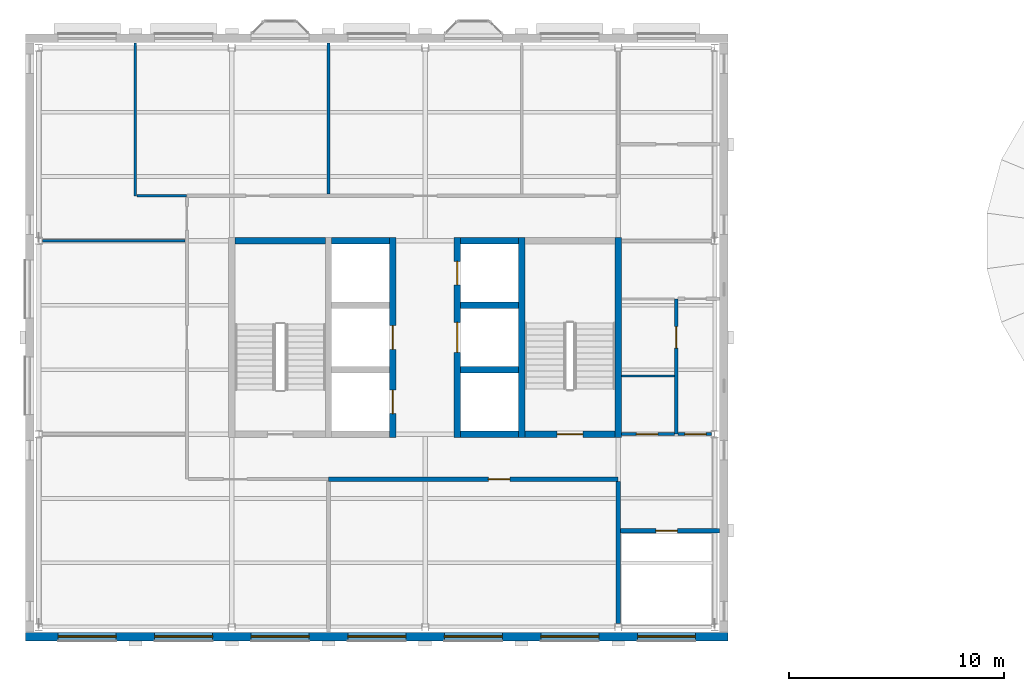
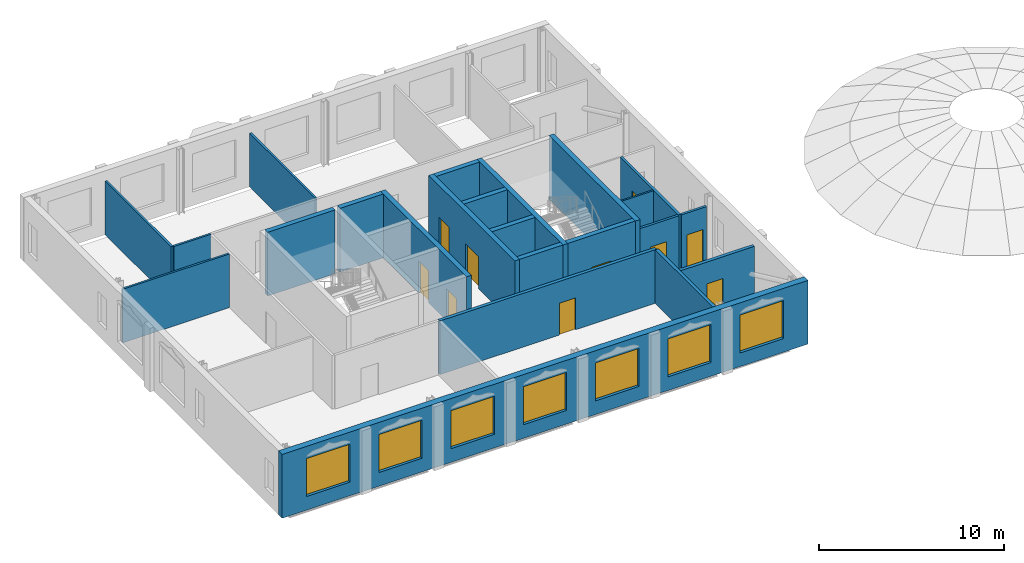
# One storey, part 6 of 11: 23 walls, 10 doors, 7 windows, 17 openings.
"""IFC4 building model written with IfcOpenShell, lengths in metres."""

from ifc_helpers import new_model, si_unit, direction, frame, frame_2d, origin, place, context, subcontext, project, spatial, rectangle, extrude, material, layer, layer_set, type_object, element, fill, save


model = new_model("IFC4")

# Units and contexts
model_context = context("Model", 3, precision=1e-05, world=origin(), true_north=direction((0.0, 1.0)))
body_context = subcontext(model_context, "Body", "Model", "MODEL_VIEW")
ifc_project = project(units=[si_unit("LENGTHUNIT", "METRE"), si_unit("AREAUNIT", "SQUARE_METRE"), si_unit("VOLUMEUNIT", "CUBIC_METRE"), si_unit("PLANEANGLEUNIT", "RADIAN"), si_unit("MASSUNIT", "GRAM", prefix="KILO")], contexts=[model_context])

# Site, building, storey
site_placement = place(None, origin())
site = spatial("IfcSite", under=ifc_project, at=site_placement, CompositionType="ELEMENT")
building_placement = place(site_placement, origin())
building = spatial("IfcBuilding", under=site, at=building_placement, Name="Hortulan Conservatory and Botanical Research Centre", CompositionType="ELEMENT")
storey_placement = place(building_placement, frame((0.0, 0.0, 27.60009765625)))
storey = spatial("IfcBuildingStorey", under=building, at=storey_placement, Name="L06", CompositionType="ELEMENT", Elevation=27.60009765625)

# Wall
ifc_material_1 = material(Name="Fire-rated plasterboard on steel studs", Category="steel")
ifc_layer_1 = layer(ifc_material_1, 0.199951171875)
ifc_layer_set_1 = layer_set([ifc_layer_1], Name="Compartment Partition 200")
wall_type_1 = type_object("IfcWallType", Name="Compartment Partition 200", PredefinedType="PARTITIONING", material=ifc_layer_set_1)
wall_1_placement = place(storey_placement, frame((27.0, 0.173583984375, 0.0), z_axis=(0.0, 0.0, 1.0), x_axis=(0.0, 1.0, 0.0)))
element("IfcWall", 1, at=wall_1_placement, inside=storey, type_object=wall_type_1, Name="Store wall", PredefinedType="PARTITIONING", context=body_context, shape_type="SweptSolid", body=[
    extrude(rectangle(XDim=6.616455078125, YDim=0.199951171875, at=frame_2d((3.30810546875, 0.0))), origin(), (0.0, 0.0, 1.0), 3.536865234375),
])

# Wall, opening, door
wall_2_placement = place(storey_placement, frame((27.110107421875, 4.5, 0.0), z_axis=(0.0, 0.0, 1.0), x_axis=(1.0, 0.0, 0.0)))
wall_2 = element("IfcWall", 2, at=wall_2_placement, inside=storey, type_object=wall_type_1, Name="Riser wall", PredefinedType="PARTITIONING", context=body_context, shape_type="SweptSolid", body=[
    extrude(rectangle(XDim=4.60498046875, YDim=0.199951171875, at=frame_2d((2.302490234375, 0.0))), origin(), (0.0, 0.0, 1.0), 3.536865234375),
])
opening_1_placement = place(wall_2_placement, frame((1.639892578125, 0.0, 0.0)))
opening_1 = element("IfcOpeningElement", 3, at=opening_1_placement, cuts=wall_2, Name="Opening DT6", PredefinedType="OPENING", context=body_context, shape_type="SweptSolid", body=[
    extrude(rectangle(XDim=1.0, YDim=2.10009765625, at=frame_2d((0.5, 1.050048828125))), frame((0.0, 0.10986328125, 0.0), z_axis=(0.0, -1.0, 0.0), x_axis=(1.0, 0.0, 0.0)), (0.0, 0.0, 1.0), 0.219970703125),
])
ifc_material_2 = material(Name="Steel door leaf, insulated", Category="steel")
door_type_1 = type_object("IfcDoorType", Name="Fire Door 1000x2100 FRL -/120/30", OperationType="NOTDEFINED", PredefinedType="DOOR", material=ifc_material_2)
door_1_placement = place(opening_1_placement, frame((1.0, 0.0, 0.0), z_axis=(0.0, 0.0, 1.0), x_axis=(-1.0, 0.0, 0.0)))
door_1 = element("IfcDoor", 4, at=door_1_placement, inside=storey, type_object=door_type_1, Name="Door DT6 Services Riser", OperationType="SINGLE_SWING_LEFT", OverallHeight=2.10009765625, OverallWidth=1.0, PredefinedType="DOOR", context=body_context, shape_type="SweptSolid", body=[
    extrude(rectangle(XDim=1.0, YDim=2.10009765625, at=frame_2d((0.5, 1.050048828125))), frame((0.0, 0.02490234375, 0.0), z_axis=(0.0, -1.0, 0.0), x_axis=(1.0, 0.0, 0.0)), (0.0, 0.0, 1.0), 0.050048828125),
])
fill(opening_1, door_1)

wall_3_placement = place(storey_placement, frame((13.5, 6.89990234375, 0.0), z_axis=(0.0, 0.0, 1.0), x_axis=(1.0, 0.0, 0.0)))
wall_3 = element("IfcWall", 5, at=wall_3_placement, inside=storey, type_object=wall_type_1, Name="Store wall", PredefinedType="PARTITIONING", context=body_context, shape_type="SweptSolid", body=[
    extrude(rectangle(XDim=13.5, YDim=0.199951171875, at=frame_2d((6.75, 0.0))), origin(), (0.0, 0.0, 1.0), 3.536865234375),
])
opening_2_placement = place(wall_3_placement, frame((7.449951171875, 0.0, 0.0)))
opening_2 = element("IfcOpeningElement", 6, at=opening_2_placement, cuts=wall_3, Name="Opening DT6", PredefinedType="OPENING", context=body_context, shape_type="SweptSolid", body=[
    extrude(rectangle(XDim=1.0, YDim=2.10009765625, at=frame_2d((0.5, 1.050048828125))), frame((0.0, 0.10986328125, 0.0), z_axis=(0.0, -1.0, 0.0), x_axis=(1.0, 0.0, 0.0)), (0.0, 0.0, 1.0), 0.219970703125),
])
door_2_placement = place(opening_2_placement, frame((1.0, 0.0, 0.0), z_axis=(0.0, 0.0, 1.0), x_axis=(-1.0, 0.0, 0.0)))
door_2 = element("IfcDoor", 7, at=door_2_placement, inside=storey, type_object=door_type_1, Name="Door DT6 Cryopreservation Laboratory", OperationType="SINGLE_SWING_LEFT", OverallHeight=2.10009765625, OverallWidth=1.0, PredefinedType="DOOR", context=body_context, shape_type="SweptSolid", body=[
    extrude(rectangle(XDim=1.0, YDim=2.10009765625, at=frame_2d((0.5, 1.050048828125))), frame((0.0, 0.02490234375, 0.0), z_axis=(0.0, -1.0, 0.0), x_axis=(1.0, 0.0, 0.0)), (0.0, 0.0, 1.0), 0.050048828125),
])
fill(opening_2, door_2)

# Wall, openings, doors
ifc_material_3 = material(Name="Concrete N50 (50 MPa, AS 3600)", Category="concrete")
ifc_layer_2 = layer(ifc_material_3, 0.300048828125)
ifc_layer_set_2 = layer_set([ifc_layer_2], Name="Core Wall 300 N50 FRL 240/120/120")
wall_type_2 = type_object("IfcWallType", Name="Core Wall 300 N50 FRL 240/120/120", PredefinedType="SHEAR", material=ifc_layer_set_2)
wall_4_placement = place(storey_placement, frame((16.5, 8.85009765625, 0.0), z_axis=(0.0, 0.0, 1.0), x_axis=(0.0, 1.0, 0.0)))
wall_4 = element("IfcWall", 8, at=wall_4_placement, inside=storey, type_object=wall_type_2, Name="Reinforced concrete shaft wall", PredefinedType="SHEAR", context=body_context, shape_type="SweptSolid", body=[
    extrude(rectangle(XDim=9.2998046875, YDim=0.300048828125, at=frame_2d((4.64990234375, 0.0))), origin(), (0.0, 0.0, 1.0), 4.199951171875),
])
opening_3_placement = place(wall_4_placement, frame((1.10009765625, 0.0, 0.0)))
opening_3 = element("IfcOpeningElement", 9, at=opening_3_placement, cuts=wall_4, Name="Opening LD1", PredefinedType="OPENING", context=body_context, shape_type="SweptSolid", body=[
    extrude(rectangle(XDim=1.10009765625, YDim=2.10009765625, at=frame_2d((0.550048828125, 1.050048828125))), frame((0.0, 0.159912109375, 0.0), z_axis=(0.0, -1.0, 0.0), x_axis=(1.0, 0.0, 0.0)), (0.0, 0.0, 1.0), 0.320068359375),
])
opening_4_placement = place(wall_4_placement, frame((4.10009765625, 0.0, 0.0)))
opening_4 = element("IfcOpeningElement", 10, at=opening_4_placement, cuts=wall_4, Name="Opening LD1", PredefinedType="OPENING", context=body_context, shape_type="SweptSolid", body=[
    extrude(rectangle(XDim=1.10009765625, YDim=2.10009765625, at=frame_2d((0.550048828125, 1.050048828125))), frame((0.0, 0.159912109375, 0.0), z_axis=(0.0, -1.0, 0.0), x_axis=(1.0, 0.0, 0.0)), (0.0, 0.0, 1.0), 0.320068359375),
])
ifc_material_4 = material(Name="Stainless steel door leaves in steel frame", Category="steel")
door_type_2 = type_object("IfcDoorType", Name="Lift Landing Door 1100x2100", OperationType="DOUBLE_DOOR_SLIDING", PredefinedType="DOOR", material=ifc_material_4)
door_3_placement = place(opening_3_placement, origin())
door_3 = element("IfcDoor", 11, at=door_3_placement, inside=storey, type_object=door_type_2, Name="Lift LP1 landing door L06", OperationType="DOUBLE_DOOR_SLIDING", OverallHeight=2.10009765625, OverallWidth=1.10009765625, PredefinedType="DOOR", context=body_context, shape_type="SweptSolid", body=[
    extrude(rectangle(XDim=1.10009765625, YDim=2.10009765625, at=frame_2d((0.550048828125, 1.050048828125))), frame((0.0, 0.02490234375, 0.0), z_axis=(0.0, -1.0, 0.0), x_axis=(1.0, 0.0, 0.0)), (0.0, 0.0, 1.0), 0.050048828125),
])
fill(opening_3, door_3)
door_4_placement = place(opening_4_placement, origin())
door_4 = element("IfcDoor", 12, at=door_4_placement, inside=storey, type_object=door_type_2, Name="Lift LP2 landing door L06", OperationType="DOUBLE_DOOR_SLIDING", OverallHeight=2.10009765625, OverallWidth=1.10009765625, PredefinedType="DOOR", context=body_context, shape_type="SweptSolid", body=[
    extrude(rectangle(XDim=1.10009765625, YDim=2.10009765625, at=frame_2d((0.550048828125, 1.050048828125))), frame((0.0, 0.02490234375, 0.0), z_axis=(0.0, -1.0, 0.0), x_axis=(1.0, 0.0, 0.0)), (0.0, 0.0, 1.0), 0.050048828125),
])
fill(opening_4, door_4)

wall_5_placement = place(storey_placement, frame((19.5, 8.85009765625, 0.0), z_axis=(0.0, 0.0, 1.0), x_axis=(0.0, 1.0, 0.0)))
wall_5 = element("IfcWall", 13, at=wall_5_placement, inside=storey, type_object=wall_type_2, Name="Reinforced concrete shaft wall", PredefinedType="SHEAR", context=body_context, shape_type="SweptSolid", body=[
    extrude(rectangle(XDim=9.2998046875, YDim=0.300048828125, at=frame_2d((4.64990234375, 0.0))), origin(), (0.0, 0.0, 1.0), 4.199951171875),
])
opening_5_placement = place(wall_5_placement, frame((3.949951171875, 0.0, 0.0)))
opening_5 = element("IfcOpeningElement", 14, at=opening_5_placement, cuts=wall_5, Name="Opening LD2", PredefinedType="OPENING", context=body_context, shape_type="SweptSolid", body=[
    extrude(rectangle(XDim=1.39990234375, YDim=2.10009765625, at=frame_2d((0.699951171875, 1.050048828125))), frame((0.0, 0.159912109375, 0.0), z_axis=(0.0, -1.0, 0.0), x_axis=(1.0, 0.0, 0.0)), (0.0, 0.0, 1.0), 0.320068359375),
])
opening_6_placement = place(wall_5_placement, frame((7.10009765625, 0.0, 0.0)))
opening_6 = element("IfcOpeningElement", 15, at=opening_6_placement, cuts=wall_5, Name="Opening LD1", PredefinedType="OPENING", context=body_context, shape_type="SweptSolid", body=[
    extrude(rectangle(XDim=1.10009765625, YDim=2.10009765625, at=frame_2d((0.550048828125, 1.050048828125))), frame((0.0, 0.159912109375, 0.0), z_axis=(0.0, -1.0, 0.0), x_axis=(1.0, 0.0, 0.0)), (0.0, 0.0, 1.0), 0.320068359375),
])
door_5_placement = place(opening_6_placement, origin())
door_5 = element("IfcDoor", 16, at=door_5_placement, inside=storey, type_object=door_type_2, Name="Lift LF1 landing door L06", OperationType="DOUBLE_DOOR_SLIDING", OverallHeight=2.10009765625, OverallWidth=1.10009765625, PredefinedType="DOOR", context=body_context, shape_type="SweptSolid", body=[
    extrude(rectangle(XDim=1.10009765625, YDim=2.10009765625, at=frame_2d((0.550048828125, 1.050048828125))), frame((0.0, 0.02490234375, 0.0), z_axis=(0.0, -1.0, 0.0), x_axis=(1.0, 0.0, 0.0)), (0.0, 0.0, 1.0), 0.050048828125),
])
fill(opening_6, door_5)
door_type_3 = type_object("IfcDoorType", Name="Lift Landing Door 1400x2100", OperationType="DOUBLE_DOOR_SLIDING", PredefinedType="DOOR", material=ifc_material_4)
door_6_placement = place(opening_5_placement, origin())
door_6 = element("IfcDoor", 17, at=door_6_placement, inside=storey, type_object=door_type_3, Name="Lift LG1 landing door L06", OperationType="DOUBLE_DOOR_SLIDING", OverallHeight=2.10009765625, OverallWidth=1.39990234375, PredefinedType="DOOR", context=body_context, shape_type="SweptSolid", body=[
    extrude(rectangle(XDim=1.39990234375, YDim=2.10009765625, at=frame_2d((0.699951171875, 1.050048828125))), frame((0.0, 0.02490234375, 0.0), z_axis=(0.0, -1.0, 0.0), x_axis=(1.0, 0.0, 0.0)), (0.0, 0.0, 1.0), 0.050048828125),
])
fill(opening_5, door_6)

# Walls
for number, where, z_axis, x_axis, name in (
    (18, (22.5, 8.85009765625, 0.0), (0.0, 0.0, 1.0), (0.0, 1.0, 0.0), "Reinforced concrete shaft wall"),
    (19, (27.0, 8.85009765625, 0.0), (0.0, 0.0, 1.0), (0.0, 1.0, 0.0), "Reinforced concrete shaft wall"),
):
    element("IfcWall", number, at=place(storey_placement, frame(where, z_axis=z_axis, x_axis=x_axis)), inside=storey, type_object=wall_type_2, Name=name, PredefinedType="SHEAR", context=body_context, shape_type="SweptSolid", body=[
        extrude(rectangle(XDim=9.2998046875, YDim=0.300048828125, at=frame_2d((4.64990234375, 0.0))), origin(), (0.0, 0.0, 1.0), 4.199951171875),
    ])
wall_6_placement = place(storey_placement, frame((19.64990234375, 9.0, 0.0), z_axis=(0.0, 0.0, 1.0), x_axis=(1.0, 0.0, 0.0)))
element("IfcWall", 20, at=wall_6_placement, inside=storey, type_object=wall_type_2, Name="Reinforced concrete shaft wall", PredefinedType="SHEAR", context=body_context, shape_type="SweptSolid", body=[
    extrude(rectangle(XDim=2.7001953125, YDim=0.300048828125, at=frame_2d((1.35009765625, 0.0))), origin(), (0.0, 0.0, 1.0), 4.199951171875),
])

# Wall, opening, door
wall_7_placement = place(storey_placement, frame((22.64990234375, 9.0, 0.0), z_axis=(0.0, 0.0, 1.0), x_axis=(1.0, 0.0, 0.0)))
wall_7 = element("IfcWall", 21, at=wall_7_placement, inside=storey, type_object=wall_type_2, Name="Reinforced concrete shaft wall", PredefinedType="SHEAR", context=body_context, shape_type="SweptSolid", body=[
    extrude(rectangle(XDim=4.2001953125, YDim=0.300048828125, at=frame_2d((2.10009765625, 0.0))), origin(), (0.0, 0.0, 1.0), 4.199951171875),
])
opening_7_placement = place(wall_7_placement, frame((1.5, 0.0, 0.0)))
opening_7 = element("IfcOpeningElement", 22, at=opening_7_placement, cuts=wall_7, Name="Opening DT5", PredefinedType="OPENING", context=body_context, shape_type="SweptSolid", body=[
    extrude(rectangle(XDim=1.199951171875, YDim=2.10009765625, at=frame_2d((0.60009765625, 1.050048828125))), frame((0.0, 0.159912109375, 0.0), z_axis=(0.0, -1.0, 0.0), x_axis=(1.0, 0.0, 0.0)), (0.0, 0.0, 1.0), 0.320068359375),
])
door_type_4 = type_object("IfcDoorType", Name="Stair Door 1200x2100 FRL -/120/30", OperationType="NOTDEFINED", PredefinedType="DOOR", material=ifc_material_2)
door_7_placement = place(opening_7_placement, origin())
door_7 = element("IfcDoor", 23, at=door_7_placement, inside=storey, type_object=door_type_4, Name="Door DT5 Exit Stair T2", OperationType="SINGLE_SWING_LEFT", OverallHeight=2.10009765625, OverallWidth=1.199951171875, PredefinedType="DOOR", context=body_context, shape_type="SweptSolid", body=[
    extrude(rectangle(XDim=1.199951171875, YDim=2.10009765625, at=frame_2d((0.60009765625, 1.050048828125))), frame((0.0, 0.02490234375, 0.0), z_axis=(0.0, -1.0, 0.0), x_axis=(1.0, 0.0, 0.0)), (0.0, 0.0, 1.0), 0.050048828125),
])
fill(opening_7, door_7)

# Walls
for number, where, z_axis, x_axis, name in (
    (24, (19.64990234375, 12.0, 0.0), (0.0, 0.0, 1.0), (1.0, 0.0, 0.0), "Reinforced concrete shaft wall"),
    (25, (19.64990234375, 15.0, 0.0), (0.0, 0.0, 1.0), (1.0, 0.0, 0.0), "Reinforced concrete shaft wall"),
):
    element("IfcWall", number, at=place(storey_placement, frame(where, z_axis=z_axis, x_axis=x_axis)), inside=storey, type_object=wall_type_2, Name=name, PredefinedType="SHEAR", context=body_context, shape_type="SweptSolid", body=[
        extrude(rectangle(XDim=2.7001953125, YDim=0.300048828125, at=frame_2d((1.35009765625, 0.0))), origin(), (0.0, 0.0, 1.0), 4.199951171875),
    ])
wall_8_placement = place(storey_placement, frame((9.14990234375, 18.0, 0.0), z_axis=(0.0, 0.0, 1.0), x_axis=(1.0, 0.0, 0.0)))
element("IfcWall", 26, at=wall_8_placement, inside=storey, type_object=wall_type_2, Name="Reinforced concrete shaft wall", PredefinedType="SHEAR", context=body_context, shape_type="SweptSolid", body=[
    extrude(rectangle(XDim=4.2001953125, YDim=0.300048828125, at=frame_2d((2.10009765625, 0.0))), origin(), (0.0, 0.0, 1.0), 4.199951171875),
])
for number, where, z_axis, x_axis, name in (
    (27, (13.64990234375, 18.0, 0.0), (0.0, 0.0, 1.0), (1.0, 0.0, 0.0), "Reinforced concrete shaft wall"),
    (28, (19.64990234375, 18.0, 0.0), (0.0, 0.0, 1.0), (1.0, 0.0, 0.0), "Reinforced concrete shaft wall"),
):
    element("IfcWall", number, at=place(storey_placement, frame(where, z_axis=z_axis, x_axis=x_axis)), inside=storey, type_object=wall_type_2, Name=name, PredefinedType="SHEAR", context=body_context, shape_type="SweptSolid", body=[
        extrude(rectangle(XDim=2.7001953125, YDim=0.300048828125, at=frame_2d((1.35009765625, 0.0))), origin(), (0.0, 0.0, 1.0), 4.199951171875),
    ])

# Wall, opening, door
ifc_material_5 = material(Name="Plasterboard on steel studs", Category="steel")
ifc_layer_3 = layer(ifc_material_5, 0.14990234375)
ifc_layer_set_3 = layer_set([ifc_layer_3], Name="Corridor Partition 150")
wall_type_3 = type_object("IfcWallType", Name="Corridor Partition 150", PredefinedType="PARTITIONING", material=ifc_layer_set_3)
wall_9_placement = place(storey_placement, frame((27.159912109375, 9.0, 0.0), z_axis=(0.0, 0.0, 1.0), x_axis=(1.0, 0.0, 0.0)))
wall_9 = element("IfcWall", 29, at=wall_9_placement, inside=storey, type_object=wall_type_3, Name="Corridor partition", PredefinedType="PARTITIONING", context=body_context, shape_type="SweptSolid", body=[
    extrude(rectangle(XDim=2.455078125, YDim=0.14990234375, at=frame_2d((1.2275390625, 0.0))), origin(), (0.0, 0.0, 1.0), 3.536865234375),
])
opening_8_placement = place(wall_9_placement, frame((0.68994140625, 0.0, 0.0)))
opening_8 = element("IfcOpeningElement", 30, at=opening_8_placement, cuts=wall_9, Name="Opening DT1", PredefinedType="OPENING", context=body_context, shape_type="SweptSolid", body=[
    extrude(rectangle(XDim=1.0, YDim=2.10009765625, at=frame_2d((0.5, 1.050048828125))), frame((0.0, 0.0849609375, 0.0), z_axis=(0.0, -1.0, 0.0), x_axis=(1.0, 0.0, 0.0)), (0.0, 0.0, 1.0), 0.169921875),
])
ifc_material_6 = material(Name="Timber door leaf in timber frame", Category="wood")
door_type_5 = type_object("IfcDoorType", Name="Single Door 1000x2100", OperationType="NOTDEFINED", PredefinedType="DOOR", material=ifc_material_6)
door_8_placement = place(opening_8_placement, origin())
door_8 = element("IfcDoor", 31, at=door_8_placement, inside=storey, type_object=door_type_5, Name="Door DT1 Accessible WC", OperationType="SINGLE_SWING_RIGHT", OverallHeight=2.10009765625, OverallWidth=1.0, PredefinedType="DOOR", context=body_context, shape_type="SweptSolid", body=[
    extrude(rectangle(XDim=1.0, YDim=2.10009765625, at=frame_2d((0.5, 1.050048828125))), frame((0.0, 0.02490234375, 0.0), z_axis=(0.0, -1.0, 0.0), x_axis=(1.0, 0.0, 0.0)), (0.0, 0.0, 1.0), 0.050048828125),
])
fill(opening_8, door_8)

# Wall, openings, windows
ifc_material_7 = material(Name="Faience-faced brickwork masonry", Category="masonry")
ifc_layer_4 = layer(ifc_material_7, 0.39990234375)
ifc_layer_set_4 = layer_set([ifc_layer_4], Name="Faience-faced Masonry Cavity Wall 400")
wall_type_4 = type_object("IfcWallType", Name="Faience-faced Masonry Cavity Wall 400", PredefinedType="STANDARD", material=ifc_layer_set_4)
wall_10_placement = place(storey_placement, frame((32.125, -0.43603515625, 0.0), z_axis=(0.0, 0.0, 1.0), x_axis=(-1.0, 0.0, 0.0)))
wall_10 = element("IfcWall", 32, at=wall_10_placement, inside=storey, type_object=wall_type_4, Name="E-EW-TW-L06-S1", PredefinedType="STANDARD", context=body_context, shape_type="SweptSolid", body=[
    extrude(rectangle(XDim=32.75, YDim=0.39990234375, at=frame_2d((16.375, 0.0))), origin(), (0.0, 0.0, 1.0), 4.199951171875),
])
opening_9_placement = place(wall_10_placement, frame((28.52490234375, 0.0, 0.89990234375)))
opening_9 = element("IfcOpeningElement", 33, at=opening_9_placement, cuts=wall_10, Name="Opening W4", PredefinedType="OPENING", context=body_context, shape_type="SweptSolid", body=[
    extrude(rectangle(XDim=2.699951171875, YDim=2.5, at=frame_2d((1.35009765625, 1.25))), frame((0.0, 0.2099609375, 0.0), z_axis=(0.0, -1.0, 0.0), x_axis=(1.0, 0.0, 0.0)), (0.0, 0.0, 1.0), 0.419921875),
])
opening_10_placement = place(wall_10_placement, frame((24.02490234375, 0.0, 0.89990234375)))
opening_10 = element("IfcOpeningElement", 34, at=opening_10_placement, cuts=wall_10, Name="Opening W4", PredefinedType="OPENING", context=body_context, shape_type="SweptSolid", body=[
    extrude(rectangle(XDim=2.699951171875, YDim=2.5, at=frame_2d((1.35009765625, 1.25))), frame((0.0, 0.2099609375, 0.0), z_axis=(0.0, -1.0, 0.0), x_axis=(1.0, 0.0, 0.0)), (0.0, 0.0, 1.0), 0.419921875),
])
opening_11_placement = place(wall_10_placement, frame((19.52490234375, 0.0, 0.89990234375)))
opening_11 = element("IfcOpeningElement", 35, at=opening_11_placement, cuts=wall_10, Name="Opening W4", PredefinedType="OPENING", context=body_context, shape_type="SweptSolid", body=[
    extrude(rectangle(XDim=2.699951171875, YDim=2.5, at=frame_2d((1.35009765625, 1.25))), frame((0.0, 0.2099609375, 0.0), z_axis=(0.0, -1.0, 0.0), x_axis=(1.0, 0.0, 0.0)), (0.0, 0.0, 1.0), 0.419921875),
])
opening_12_placement = place(wall_10_placement, frame((15.02490234375, 0.0, 0.89990234375)))
opening_12 = element("IfcOpeningElement", 36, at=opening_12_placement, cuts=wall_10, Name="Opening W4", PredefinedType="OPENING", context=body_context, shape_type="SweptSolid", body=[
    extrude(rectangle(XDim=2.699951171875, YDim=2.5, at=frame_2d((1.35009765625, 1.25))), frame((0.0, 0.2099609375, 0.0), z_axis=(0.0, -1.0, 0.0), x_axis=(1.0, 0.0, 0.0)), (0.0, 0.0, 1.0), 0.419921875),
])
opening_13_placement = place(wall_10_placement, frame((10.52490234375, 0.0, 0.89990234375)))
opening_13 = element("IfcOpeningElement", 37, at=opening_13_placement, cuts=wall_10, Name="Opening W4", PredefinedType="OPENING", context=body_context, shape_type="SweptSolid", body=[
    extrude(rectangle(XDim=2.699951171875, YDim=2.5, at=frame_2d((1.35009765625, 1.25))), frame((0.0, 0.2099609375, 0.0), z_axis=(0.0, -1.0, 0.0), x_axis=(1.0, 0.0, 0.0)), (0.0, 0.0, 1.0), 0.419921875),
])
opening_14_placement = place(wall_10_placement, frame((6.02490234375, 0.0, 0.89990234375)))
opening_14 = element("IfcOpeningElement", 38, at=opening_14_placement, cuts=wall_10, Name="Opening W4", PredefinedType="OPENING", context=body_context, shape_type="SweptSolid", body=[
    extrude(rectangle(XDim=2.699951171875, YDim=2.5, at=frame_2d((1.35009765625, 1.25))), frame((0.0, 0.2099609375, 0.0), z_axis=(0.0, -1.0, 0.0), x_axis=(1.0, 0.0, 0.0)), (0.0, 0.0, 1.0), 0.419921875),
])
opening_15_placement = place(wall_10_placement, frame((1.52490234375, 0.0, 0.89990234375)))
opening_15 = element("IfcOpeningElement", 39, at=opening_15_placement, cuts=wall_10, Name="Opening W4", PredefinedType="OPENING", context=body_context, shape_type="SweptSolid", body=[
    extrude(rectangle(XDim=2.699951171875, YDim=2.5, at=frame_2d((1.35009765625, 1.25))), frame((0.0, 0.2099609375, 0.0), z_axis=(0.0, -1.0, 0.0), x_axis=(1.0, 0.0, 0.0)), (0.0, 0.0, 1.0), 0.419921875),
])
ifc_material_8 = material(Name="Bronze-finished aluminium frame with low-e laminated double glazing", Category="aluminium")
window_type = type_object("IfcWindowType", Name="Faience Window 2700x2500", PartitioningType="SINGLE_PANEL", PredefinedType="WINDOW", material=ifc_material_8)
window_1_placement = place(opening_9_placement, origin())
window_1 = element("IfcWindow", 40, at=window_1_placement, inside=storey, type_object=window_type, Name="Faience window", OverallHeight=2.5, OverallWidth=2.699951171875, PartitioningType="SINGLE_PANEL", PredefinedType="WINDOW", context=body_context, shape_type="SweptSolid", body=[
    extrude(rectangle(XDim=2.699951171875, YDim=2.5, at=frame_2d((1.35009765625, 1.25))), frame((0.0, 0.030029296875, 0.0), z_axis=(0.0, -1.0, 0.0), x_axis=(1.0, 0.0, 0.0)), (0.0, 0.0, 1.0), 0.06005859375),
])
fill(opening_9, window_1)
window_2_placement = place(opening_10_placement, origin())
window_2 = element("IfcWindow", 41, at=window_2_placement, inside=storey, type_object=window_type, Name="Faience window", OverallHeight=2.5, OverallWidth=2.699951171875, PartitioningType="SINGLE_PANEL", PredefinedType="WINDOW", context=body_context, shape_type="SweptSolid", body=[
    extrude(rectangle(XDim=2.699951171875, YDim=2.5, at=frame_2d((1.35009765625, 1.25))), frame((0.0, 0.030029296875, 0.0), z_axis=(0.0, -1.0, 0.0), x_axis=(1.0, 0.0, 0.0)), (0.0, 0.0, 1.0), 0.06005859375),
])
fill(opening_10, window_2)
window_3_placement = place(opening_11_placement, origin())
window_3 = element("IfcWindow", 42, at=window_3_placement, inside=storey, type_object=window_type, Name="Faience window", OverallHeight=2.5, OverallWidth=2.699951171875, PartitioningType="SINGLE_PANEL", PredefinedType="WINDOW", context=body_context, shape_type="SweptSolid", body=[
    extrude(rectangle(XDim=2.699951171875, YDim=2.5, at=frame_2d((1.35009765625, 1.25))), frame((0.0, 0.030029296875, 0.0), z_axis=(0.0, -1.0, 0.0), x_axis=(1.0, 0.0, 0.0)), (0.0, 0.0, 1.0), 0.06005859375),
])
fill(opening_11, window_3)
window_4_placement = place(opening_12_placement, origin())
window_4 = element("IfcWindow", 43, at=window_4_placement, inside=storey, type_object=window_type, Name="Faience window", OverallHeight=2.5, OverallWidth=2.699951171875, PartitioningType="SINGLE_PANEL", PredefinedType="WINDOW", context=body_context, shape_type="SweptSolid", body=[
    extrude(rectangle(XDim=2.699951171875, YDim=2.5, at=frame_2d((1.35009765625, 1.25))), frame((0.0, 0.030029296875, 0.0), z_axis=(0.0, -1.0, 0.0), x_axis=(1.0, 0.0, 0.0)), (0.0, 0.0, 1.0), 0.06005859375),
])
fill(opening_12, window_4)
window_5_placement = place(opening_13_placement, origin())
window_5 = element("IfcWindow", 44, at=window_5_placement, inside=storey, type_object=window_type, Name="Faience window", OverallHeight=2.5, OverallWidth=2.699951171875, PartitioningType="SINGLE_PANEL", PredefinedType="WINDOW", context=body_context, shape_type="SweptSolid", body=[
    extrude(rectangle(XDim=2.699951171875, YDim=2.5, at=frame_2d((1.35009765625, 1.25))), frame((0.0, 0.030029296875, 0.0), z_axis=(0.0, -1.0, 0.0), x_axis=(1.0, 0.0, 0.0)), (0.0, 0.0, 1.0), 0.06005859375),
])
fill(opening_13, window_5)
window_6_placement = place(opening_14_placement, origin())
window_6 = element("IfcWindow", 45, at=window_6_placement, inside=storey, type_object=window_type, Name="Faience window", OverallHeight=2.5, OverallWidth=2.699951171875, PartitioningType="SINGLE_PANEL", PredefinedType="WINDOW", context=body_context, shape_type="SweptSolid", body=[
    extrude(rectangle(XDim=2.699951171875, YDim=2.5, at=frame_2d((1.35009765625, 1.25))), frame((0.0, 0.030029296875, 0.0), z_axis=(0.0, -1.0, 0.0), x_axis=(1.0, 0.0, 0.0)), (0.0, 0.0, 1.0), 0.06005859375),
])
fill(opening_14, window_6)
window_7_placement = place(opening_15_placement, origin())
window_7 = element("IfcWindow", 46, at=window_7_placement, inside=storey, type_object=window_type, Name="Faience window", OverallHeight=2.5, OverallWidth=2.699951171875, PartitioningType="SINGLE_PANEL", PredefinedType="WINDOW", context=body_context, shape_type="SweptSolid", body=[
    extrude(rectangle(XDim=2.699951171875, YDim=2.5, at=frame_2d((1.35009765625, 1.25))), frame((0.0, 0.030029296875, 0.0), z_axis=(0.0, -1.0, 0.0), x_axis=(1.0, 0.0, 0.0)), (0.0, 0.0, 1.0), 0.06005859375),
])
fill(opening_15, window_7)

# Wall, opening, door
ifc_layer_5 = layer(ifc_material_1, 0.14990234375)
ifc_layer_set_5 = layer_set([ifc_layer_5], Name="Lobby Partition 150")
wall_type_5 = type_object("IfcWallType", Name="Lobby Partition 150", PredefinedType="PARTITIONING", material=ifc_layer_set_5)
wall_11_placement = place(storey_placement, frame((29.699951171875, 9.0, 0.0), z_axis=(0.0, 0.0, 1.0), x_axis=(0.0, 1.0, 0.0)))
wall_11 = element("IfcWall", 47, at=wall_11_placement, inside=storey, type_object=wall_type_5, Name="Lobby partition", PredefinedType="PARTITIONING", context=body_context, shape_type="SweptSolid", body=[
    extrude(rectangle(XDim=6.300048828125, YDim=0.14990234375, at=frame_2d((3.14990234375, 0.0))), origin(), (0.0, 0.0, 1.0), 3.536865234375),
])
opening_16_placement = place(wall_11_placement, frame((4.0, 0.0, 0.0)))
opening_16 = element("IfcOpeningElement", 48, at=opening_16_placement, cuts=wall_11, Name="Opening DT4", PredefinedType="OPENING", context=body_context, shape_type="SweptSolid", body=[
    extrude(rectangle(XDim=1.0, YDim=2.10009765625, at=frame_2d((0.5, 1.050048828125))), frame((0.0, 0.0849609375, 0.0), z_axis=(0.0, -1.0, 0.0), x_axis=(1.0, 0.0, 0.0)), (0.0, 0.0, 1.0), 0.169921875),
])
door_type_6 = type_object("IfcDoorType", Name="Fire Door 1000x2100 FRL -/60/30", OperationType="NOTDEFINED", PredefinedType="DOOR", material=ifc_material_2)
door_9_placement = place(opening_16_placement, origin())
door_9 = element("IfcDoor", 49, at=door_9_placement, inside=storey, type_object=door_type_6, Name="Door DT4 Women's WC", OperationType="SINGLE_SWING_LEFT", OverallHeight=2.10009765625, OverallWidth=1.0, PredefinedType="DOOR", context=body_context, shape_type="SweptSolid", body=[
    extrude(rectangle(XDim=1.0, YDim=2.10009765625, at=frame_2d((0.5, 1.050048828125))), frame((0.0, 0.02490234375, 0.0), z_axis=(0.0, -1.0, 0.0), x_axis=(1.0, 0.0, 0.0)), (0.0, 0.0, 1.0), 0.050048828125),
])
fill(opening_16, door_9)

wall_12_placement = place(storey_placement, frame((29.784912109375, 9.0, 0.0), z_axis=(0.0, 0.0, 1.0), x_axis=(1.0, 0.0, 0.0)))
wall_12 = element("IfcWall", 50, at=wall_12_placement, inside=storey, type_object=wall_type_5, Name="Lobby partition", PredefinedType="PARTITIONING", context=body_context, shape_type="SweptSolid", body=[
    extrude(rectangle(XDim=1.549560546875, YDim=0.14990234375, at=frame_2d((0.77490234375, 0.0))), origin(), (0.0, 0.0, 1.0), 3.536865234375),
])
opening_17_placement = place(wall_12_placement, frame((0.31494140625, 0.0, 0.0)))
opening_17 = element("IfcOpeningElement", 51, at=opening_17_placement, cuts=wall_12, Name="Opening DT4", PredefinedType="OPENING", context=body_context, shape_type="SweptSolid", body=[
    extrude(rectangle(XDim=1.0, YDim=2.10009765625, at=frame_2d((0.5, 1.050048828125))), frame((0.0, 0.0849609375, 0.0), z_axis=(0.0, -1.0, 0.0), x_axis=(1.0, 0.0, 0.0)), (0.0, 0.0, 1.0), 0.169921875),
])
door_10_placement = place(opening_17_placement, origin())
door_10 = element("IfcDoor", 52, at=door_10_placement, inside=storey, type_object=door_type_6, Name="Door DT4 WC Lobby", OperationType="SINGLE_SWING_LEFT", OverallHeight=2.10009765625, OverallWidth=1.0, PredefinedType="DOOR", context=body_context, shape_type="SweptSolid", body=[
    extrude(rectangle(XDim=1.0, YDim=2.10009765625, at=frame_2d((0.5, 1.050048828125))), frame((0.0, 0.02490234375, 0.0), z_axis=(0.0, -1.0, 0.0), x_axis=(1.0, 0.0, 0.0)), (0.0, 0.0, 1.0), 0.050048828125),
])
fill(opening_17, door_10)

# Walls
ifc_layer_6 = layer(ifc_material_5, 0.125)
ifc_layer_set_6 = layer_set([ifc_layer_6], Name="Partition 125")
wall_type_6 = type_object("IfcWallType", Name="Partition 125", PredefinedType="PARTITIONING", material=ifc_layer_set_6)
wall_13_placement = place(storey_placement, frame((4.5, 20.10009765625, 0.0), z_axis=(0.0, 0.0, 1.0), x_axis=(0.0, 1.0, 0.0)))
element("IfcWall", 53, at=wall_13_placement, inside=storey, type_object=wall_type_6, Name="Partition", PredefinedType="PARTITIONING", context=body_context, shape_type="SweptSolid", body=[
    extrude(rectangle(XDim=7.1259765625, YDim=0.125, at=frame_2d((3.56298828125, 0.0))), origin(), (0.0, 0.0, 1.0), 3.536865234375),
])
wall_14_placement = place(storey_placement, frame((13.5, 20.18505859375, 0.0), z_axis=(0.0, 0.0, 1.0), x_axis=(0.0, 1.0, 0.0)))
element("IfcWall", 54, at=wall_14_placement, inside=storey, type_object=wall_type_6, Name="Partition", PredefinedType="PARTITIONING", context=body_context, shape_type="SweptSolid", body=[
    extrude(rectangle(XDim=7.041015625, YDim=0.125, at=frame_2d((3.5205078125, 0.0))), origin(), (0.0, 0.0, 1.0), 3.536865234375),
])
wall_15_placement = place(storey_placement, frame((0.16552734375, 18.0, 0.0), z_axis=(0.0, 0.0, 1.0), x_axis=(1.0, 0.0, 0.0)))
element("IfcWall", 55, at=wall_15_placement, inside=storey, type_object=wall_type_6, Name="Partition", PredefinedType="PARTITIONING", context=body_context, shape_type="SweptSolid", body=[
    extrude(rectangle(XDim=6.6494140625, YDim=0.125, at=frame_2d((3.32470703125, 0.0))), origin(), (0.0, 0.0, 1.0), 3.536865234375),
])
wall_16_placement = place(storey_placement, frame((4.572509765625, 20.10009765625, 0.0), z_axis=(0.0, 0.0, 1.0), x_axis=(1.0, 0.0, 0.0)))
element("IfcWall", 56, at=wall_16_placement, inside=storey, type_object=wall_type_6, Name="Partition", PredefinedType="PARTITIONING", context=body_context, shape_type="SweptSolid", body=[
    extrude(rectangle(XDim=2.3173828125, YDim=0.125, at=frame_2d((1.15869140625, 0.0))), origin(), (0.0, 0.0, 1.0), 3.536865234375),
])
ifc_material_9 = material(Name="Moisture-resistant plasterboard on steel studs", Category="steel")
ifc_layer_7 = layer(ifc_material_9, 0.10009765625)
ifc_layer_set_7 = layer_set([ifc_layer_7], Name="Wet Area Partition 100")
wall_type_7 = type_object("IfcWallType", Name="Wet Area Partition 100", PredefinedType="PARTITIONING", material=ifc_layer_set_7)
wall_17_placement = place(storey_placement, frame((27.159912109375, 11.699951171875, 0.0), z_axis=(0.0, 0.0, 1.0), x_axis=(1.0, 0.0, 0.0)))
element("IfcWall", 57, at=wall_17_placement, inside=storey, type_object=wall_type_7, Name="Toilet partition", PredefinedType="PARTITIONING", context=body_context, shape_type="SweptSolid", body=[
    extrude(rectangle(XDim=2.455078125, YDim=0.10009765625, at=frame_2d((1.2275390625, 0.0))), origin(), (0.0, 0.0, 1.0), 3.536865234375),
])

save(model, "model.ifc")
